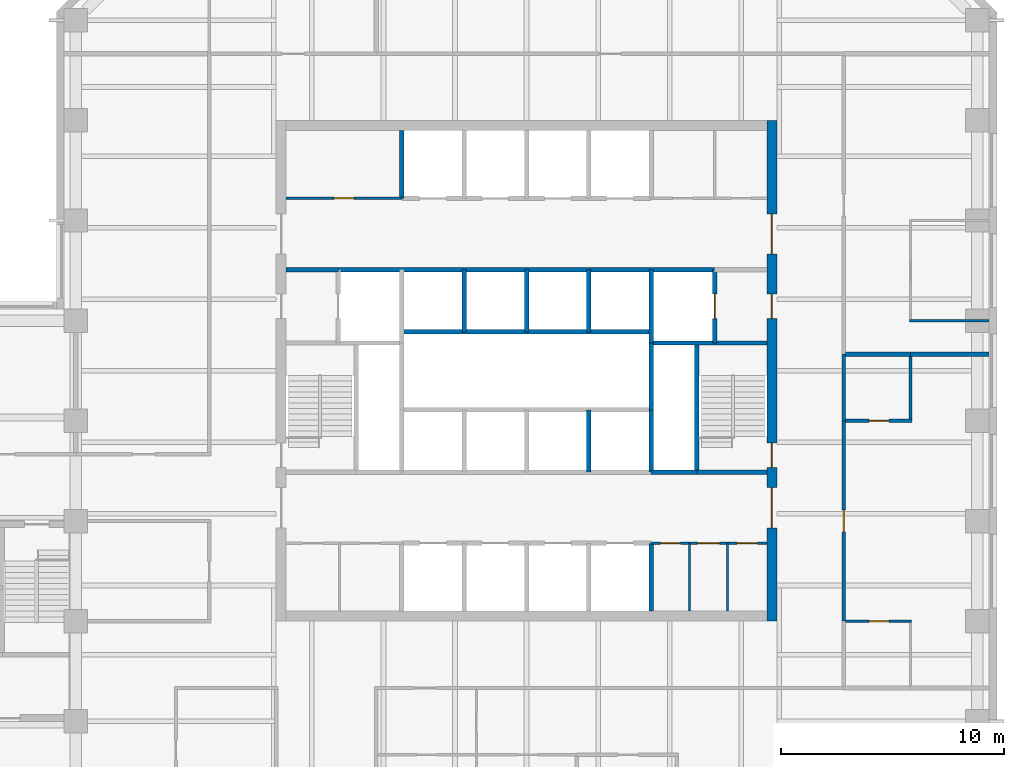
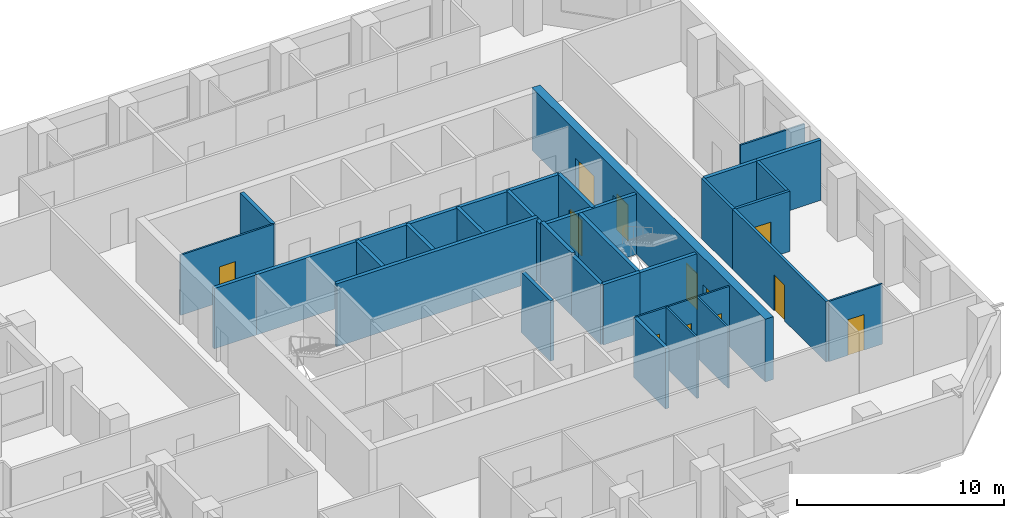
# One storey, part 7 of 11: 30 walls, 12 doors, 12 openings.
"""IFC4 building model written with IfcOpenShell, lengths in metres."""

import ifcopenshell
import ifcopenshell.guid

model = None  # the IFC model being written
_history = None  # IfcOwnerHistory: only IFC2X3 demands one
_inside = {}  # id of a spatial element -> (the spatial element, [elements in it])
_under = {}  # id of a project, library or spatial element -> (it, [spatial elements below it])
_declared = {}  # id of a project -> (the project, [libraries it declares])
_typed = {}  # id of a type object -> (the type object, [elements of that type])
_made_of = {}  # id of a material, layer set ... -> (it, [elements and type objects made of it])


def new_model(schema):
    """Start an empty IFC model of exactly this schema.

    Asked for "IFC4X3", IfcOpenShell would pick the latest addendum, in which some entities
    have other attributes; the version numbers below select the first issue.
    IFC2X3 requires an IfcOwnerHistory on every rooted entity: one is made here for all.
    """
    global model, _history
    if schema == "IFC4X3":
        model = ifcopenshell.file(schema_version=(4, 3, 0, 0))
    else:
        model = ifcopenshell.file(schema=schema)
    _inside.clear()
    _under.clear()
    _declared.clear()
    _typed.clear()
    _made_of.clear()
    _history = None
    if model.schema == "IFC2X3":
        org = make("IfcOrganization", Name="unknown")
        user = make(
            "IfcPersonAndOrganization",
            ThePerson=make("IfcPerson", FamilyName="unknown"),
            TheOrganization=org,
        )
        app = make(
            "IfcApplication",
            ApplicationDeveloper=org,
            Version="unknown",
            ApplicationFullName="unknown",
            ApplicationIdentifier="unknown",
        )
        _history = make(
            "IfcOwnerHistory",
            OwningUser=user,
            OwningApplication=app,
            ChangeAction="ADDED",
            CreationDate=0,
        )
    return model


def make(cls, **values):
    """One entity of the class cls with the attributes given. An attribute that is None is left unset."""
    return model.create_entity(
        cls, **{name: value for name, value in values.items() if value is not None}
    )


def rooted(cls, **values):
    """An entity with a GlobalId (a new one), such as an element, a storey or a relation."""
    return make(cls, GlobalId=ifcopenshell.guid.new(), OwnerHistory=_history, **values)


def si_unit(unit_type, name, prefix=None):
    """IfcSIUnit, for example si_unit("LENGTHUNIT", "METRE", prefix="MILLI")."""
    return make("IfcSIUnit", UnitType=unit_type, Prefix=prefix, Name=name)


def assignment(units):
    """IfcUnitAssignment: the units of a project."""
    return None if units is None else make("IfcUnitAssignment", Units=units)


def point(xyz):
    """IfcCartesianPoint."""
    return None if xyz is None else make("IfcCartesianPoint", Coordinates=xyz)


def direction(xyz):
    """IfcDirection."""
    return None if xyz is None else make("IfcDirection", DirectionRatios=xyz)


def frame(location, z_axis=None, x_axis=None):
    """IfcAxis2Placement3D, a coordinate frame: its origin and axes. An axis left out is left unset."""
    return make(
        "IfcAxis2Placement3D",
        Location=point(location),
        Axis=direction(z_axis),
        RefDirection=direction(x_axis),
    )


def frame_2d(location, x_axis=None):
    """IfcAxis2Placement2D, a coordinate frame in the plane: its origin and x axis."""
    return make(
        "IfcAxis2Placement2D", Location=point(location), RefDirection=direction(x_axis)
    )


def origin():
    """The frame at (0, 0, 0) with its axes left unset."""
    return frame((0.0, 0.0, 0.0))


def place(relative_to, where):
    """IfcLocalPlacement: puts the frame where relative to a parent placement (None: the world)."""
    return make(
        "IfcLocalPlacement", PlacementRelTo=relative_to, RelativePlacement=where
    )


def context(
    kind, dimensions, precision=None, world=None, true_north=None, identifier=None
):
    """IfcGeometricRepresentationContext, for example the 3D "Model" context."""
    return make(
        "IfcGeometricRepresentationContext",
        ContextIdentifier=identifier,
        ContextType=kind,
        CoordinateSpaceDimension=dimensions,
        Precision=precision,
        WorldCoordinateSystem=world,
        TrueNorth=true_north,
    )


def subcontext(parent, identifier, kind, view, scale=None):
    """IfcGeometricRepresentationSubContext, for example "Body" below "Model"."""
    return make(
        "IfcGeometricRepresentationSubContext",
        ContextIdentifier=identifier,
        ContextType=kind,
        ParentContext=parent,
        TargetScale=scale,
        TargetView=view,
    )


def project(units=None, contexts=None):
    """IfcProject with its units and contexts."""
    return rooted(
        "IfcProject",
        Name="project",
        RepresentationContexts=contexts,
        UnitsInContext=assignment(units),
    )


def spatial(cls, under=None, at=None, **own):
    """A site, building, storey or space (cls), placed at a placement, below another one or the project."""
    s = rooted(cls, ObjectPlacement=at, **own)
    if under is not None:
        _under.setdefault(under.id(), (under, []))[1].append(s)
    return s


def profile(cls, at=None, kind="AREA", **sizes):
    """A parametric profile (cls). Its sizes go by their IFC names, for example OverallWidth=200.0."""
    return make(cls, ProfileType=kind, Position=at, **sizes)


def rectangle(**sizes):
    """IfcRectangleProfileDef."""
    return profile("IfcRectangleProfileDef", **sizes)


def extrude(swept, where, along, depth):
    """IfcExtrudedAreaSolid: the profile swept, set in the frame where, extruded along a direction by depth."""
    return make(
        "IfcExtrudedAreaSolid",
        SweptArea=swept,
        Position=where,
        ExtrudedDirection=direction(along),
        Depth=depth,
    )


def shape(context_of_items, identifier, shape_type, items):
    """IfcShapeRepresentation: the items that make up one representation, for example the "Body"."""
    return make(
        "IfcShapeRepresentation",
        ContextOfItems=context_of_items,
        RepresentationIdentifier=identifier,
        RepresentationType=shape_type,
        Items=items,
    )


def material(Name=None, Category=None):
    """IfcMaterial."""
    return make("IfcMaterial", Name=Name, Category=Category)


def layer(
    of_material, thickness, ventilated=None, Name=None, Category=None, Priority=None
):
    """IfcMaterialLayer: one layer of a wall or slab, of a material (None: an air gap)."""
    return make(
        "IfcMaterialLayer",
        Material=of_material,
        LayerThickness=thickness,
        IsVentilated=ventilated,
        Name=Name,
        Category=Category,
        Priority=Priority,
    )


def layer_set(layers, Name=None):
    """IfcMaterialLayerSet."""
    return make("IfcMaterialLayerSet", MaterialLayers=layers, LayerSetName=Name)


def made_of(thing, what):
    """Note that an element or type object is made of a material, layer set ...; save() writes the relation."""
    if what is not None:
        _made_of.setdefault(what.id(), (what, []))[1].append(thing)
    return thing


def type_object(cls, material=None, **own):
    """A type object (cls), such as IfcWallType, which elements share."""
    return made_of(rooted(cls, **own), material)


def element(
    cls,
    number,
    at=None,
    inside=None,
    cuts=None,
    type_object=None,
    material=None,
    context=None,
    identifier="Body",
    shape_type=None,
    held_by="IfcProductDefinitionShape",
    body=None,
    shapes=None,
    **own,
):
    """One element of the class cls, such as IfcWall. Its Tag is "e" and its number.

    at: its placement. inside: the storey or other place that contains it. cuts: it is an
    opening in that element (IfcRelVoidsElement). A single representation is given by context,
    identifier, shape_type and body (its items); several are given by shapes. held_by: the class
    of the entity that holds the representations. save() writes the other relations.
    """
    e = rooted(cls, Tag="e%d" % number, ObjectPlacement=at, **own)
    if body is not None:
        shapes = [shape(context, identifier, shape_type, body)]
    if shapes is not None:
        e.Representation = make(held_by, Representations=shapes)
    if inside is not None:
        _inside.setdefault(inside.id(), (inside, []))[1].append(e)
    if cuts is not None:
        rooted(
            "IfcRelVoidsElement", RelatingBuildingElement=cuts, RelatedOpeningElement=e
        )
    if type_object is not None:
        _typed.setdefault(type_object.id(), (type_object, []))[1].append(e)
    return made_of(e, material)


def fill(opening, filler):
    """IfcRelFillsElement: the door or window that sits in an opening."""
    return rooted(
        "IfcRelFillsElement",
        RelatingOpeningElement=opening,
        RelatedBuildingElement=filler,
    )


def aggregate(whole, parts):
    """IfcRelAggregates: a whole, such as a stair, and the parts it consists of."""
    return rooted("IfcRelAggregates", RelatingObject=whole, RelatedObjects=parts)


def save(model, path):
    """Write the relations noted so far, then the file.

    IfcRelAggregates (storeys below a building ...), IfcRelContainedInSpatialStructure (elements
    in a storey), IfcRelDefinesByType, IfcRelAssociatesMaterial and IfcRelDeclares: one each for
    every whole, place, type object, material and project.
    """
    for whole, parts in _under.values():
        aggregate(whole, parts)
    for where, things in _inside.values():
        rooted(
            "IfcRelContainedInSpatialStructure",
            RelatedElements=things,
            RelatingStructure=where,
        )
    for kind, things in _typed.values():
        rooted("IfcRelDefinesByType", RelatedObjects=things, RelatingType=kind)
    for what, things in _made_of.values():
        rooted("IfcRelAssociatesMaterial", RelatedObjects=things, RelatingMaterial=what)
    for by, libraries in _declared.values():
        rooted("IfcRelDeclares", RelatingContext=by, RelatedDefinitions=libraries)
    model.write(path)


model = new_model("IFC4")

# Units and contexts
model_context = context("Model", 3, precision=1e-05, world=origin(), true_north=direction((0.0, 1.0)))
body_context = subcontext(model_context, "Body", "Model", "MODEL_VIEW")
ifc_project = project(units=[si_unit("LENGTHUNIT", "METRE"), si_unit("AREAUNIT", "SQUARE_METRE"), si_unit("VOLUMEUNIT", "CUBIC_METRE"), si_unit("PLANEANGLEUNIT", "RADIAN"), si_unit("MASSUNIT", "GRAM", prefix="KILO")], contexts=[model_context])

# Site, building, storey
site_placement = place(None, origin())
site = spatial("IfcSite", under=ifc_project, at=site_placement, CompositionType="ELEMENT")
building_placement = place(site_placement, origin())
building = spatial("IfcBuilding", under=site, at=building_placement, Name="Quoin Convention Tower", CompositionType="ELEMENT")
storey_placement = place(building_placement, frame((0.0, 0.0, 93.699951171875)))
storey = spatial("IfcBuildingStorey", under=building, at=storey_placement, Name="L24", CompositionType="ELEMENT", Elevation=93.699951171875)

# Wall, openings, doors
ifc_material_1 = material(Name="Plasterboard")
ifc_layer_1 = layer(ifc_material_1, 0.012451171875, Name="Finish")
ifc_material_2 = material(Name="Steel stud framing", Category="steel")
ifc_layer_2 = layer(ifc_material_2, 0.074951171875, Name="Structure")
ifc_layer_3 = layer(ifc_material_1, 0.012451171875, Name="Finish")
ifc_layer_set_1 = layer_set([ifc_layer_1, ifc_layer_2, ifc_layer_3], Name="Steel stud framing")
wall_type_1 = type_object("IfcWallType", Name="Core partition wall", PredefinedType="PARTITIONING", material=ifc_layer_set_1)
wall_1_placement = place(storey_placement, frame((61.85009765625, 53.0, 0.0), z_axis=(0.0, 0.0, 1.0), x_axis=(1.0, 0.0, 0.0)))
wall_1 = element("IfcWall", 1, at=wall_1_placement, inside=storey, type_object=wall_type_1, Name="cr-C1-L24-h3500_16850", PredefinedType="PARTITIONING", context=body_context, shape_type="SweptSolid", body=[
    extrude(rectangle(XDim=5.199951171875, YDim=0.10009765625, at=frame_2d((2.60009765625, 0.0))), origin(), (0.0, 0.0, 1.0), 3.550048828125),
])
opening_1_placement = place(wall_1_placement, frame((3.865966796875, 0.0, 0.0)))
opening_1 = element("IfcOpeningElement", 2, at=opening_1_placement, cuts=wall_1, Name="Opening DCV2-21", PredefinedType="OPENING", context=body_context, shape_type="SweptSolid", body=[
    extrude(rectangle(XDim=0.89990234375, YDim=2.10009765625, at=frame_2d((0.449951171875, 1.050048828125))), frame((0.0, 0.06005859375, 0.0), z_axis=(0.0, -1.0, 0.0), x_axis=(1.0, 0.0, 0.0)), (0.0, 0.0, 1.0), 0.1201171875),
])
opening_2_placement = place(wall_1_placement, frame((2.073974609375, 0.0, 0.0)))
opening_2 = element("IfcOpeningElement", 3, at=opening_2_placement, cuts=wall_1, Name="Opening DCV2-19", PredefinedType="OPENING", context=body_context, shape_type="SweptSolid", body=[
    extrude(rectangle(XDim=1.0, YDim=2.10009765625, at=frame_2d((0.5, 1.050048828125))), frame((0.0, 0.06005859375, 0.0), z_axis=(0.0, -1.0, 0.0), x_axis=(1.0, 0.0, 0.0)), (0.0, 0.0, 1.0), 0.1201171875),
])
opening_3_placement = place(wall_1_placement, frame((0.407958984375, 0.0, 0.0)))
opening_3 = element("IfcOpeningElement", 4, at=opening_3_placement, cuts=wall_1, Name="Opening DCV2-17", PredefinedType="OPENING", context=body_context, shape_type="SweptSolid", body=[
    extrude(rectangle(XDim=0.89990234375, YDim=2.10009765625, at=frame_2d((0.449951171875, 1.050048828125))), frame((0.0, 0.06005859375, 0.0), z_axis=(0.0, -1.0, 0.0), x_axis=(1.0, 0.0, 0.0)), (0.0, 0.0, 1.0), 0.1201171875),
])
ifc_material_3 = material(Name="Steel door leaf", Category="steel")
door_type_1 = type_object("IfcDoorType", Name="Core room door 1000 x 2100", OperationType="SINGLE_SWING_LEFT", PredefinedType="DOOR", material=ifc_material_3)
door_1_placement = place(opening_2_placement, frame((1.0, 0.0, 0.0), z_axis=(0.0, 0.0, 1.0), x_axis=(-1.0, 0.0, 0.0)))
door_1 = element("IfcDoor", 5, at=door_1_placement, inside=storey, type_object=door_type_1, Name="cd-C1-L24-CSE1-lobA-CD2411", OperationType="SINGLE_SWING_LEFT", OverallHeight=2.10009765625, OverallWidth=1.0, PredefinedType="DOOR", context=body_context, shape_type="SweptSolid", body=[
    extrude(rectangle(XDim=1.0, YDim=2.10009765625, at=frame_2d((0.5, 1.050048828125))), frame((0.0, 0.02490234375, 0.0), z_axis=(0.0, -1.0, 0.0), x_axis=(1.0, 0.0, 0.0)), (0.0, 0.0, 1.0), 0.050048828125),
])
fill(opening_2, door_1)
door_type_2 = type_object("IfcDoorType", Name="Core room door 900 x 2100", OperationType="SINGLE_SWING_LEFT", PredefinedType="DOOR", material=ifc_material_3)
door_2_placement = place(opening_1_placement, frame((0.89990234375, 0.0, 0.0), z_axis=(0.0, 0.0, 1.0), x_axis=(-1.0, 0.0, 0.0)))
door_2 = element("IfcDoor", 6, at=door_2_placement, inside=storey, type_object=door_type_2, Name="cd-C1-L24-CSE0-lobA-CD2410", OperationType="SINGLE_SWING_LEFT", OverallHeight=2.10009765625, OverallWidth=0.89990234375, PredefinedType="DOOR", context=body_context, shape_type="SweptSolid", body=[
    extrude(rectangle(XDim=0.89990234375, YDim=2.10009765625, at=frame_2d((0.449951171875, 1.050048828125))), frame((0.0, 0.02490234375, 0.0), z_axis=(0.0, -1.0, 0.0), x_axis=(1.0, 0.0, 0.0)), (0.0, 0.0, 1.0), 0.050048828125),
])
fill(opening_1, door_2)
door_3_placement = place(opening_3_placement, frame((0.89990234375, 0.0, 0.0), z_axis=(0.0, 0.0, 1.0), x_axis=(-1.0, 0.0, 0.0)))
door_3 = element("IfcDoor", 7, at=door_3_placement, inside=storey, type_object=door_type_2, Name="cd-C1-L24-CSE2-lobA-CD2412", OperationType="SINGLE_SWING_RIGHT", OverallHeight=2.10009765625, OverallWidth=0.89990234375, PredefinedType="DOOR", context=body_context, shape_type="SweptSolid", body=[
    extrude(rectangle(XDim=0.89990234375, YDim=2.10009765625, at=frame_2d((0.449951171875, 1.050048828125))), frame((0.0, 0.02490234375, 0.0), z_axis=(0.0, -1.0, 0.0), x_axis=(1.0, 0.0, 0.0)), (0.0, 0.0, 1.0), 0.050048828125),
])
fill(opening_3, door_3)

# Wall, opening, door
wall_2_placement = place(storey_placement, frame((45.449951171875, 68.5, 0.0), z_axis=(0.0, 0.0, 1.0), x_axis=(1.0, 0.0, 0.0)))
wall_2 = element("IfcWall", 8, at=wall_2_placement, inside=storey, type_object=wall_type_1, Name="cr-C1-L24-h19000_450", PredefinedType="PARTITIONING", context=body_context, shape_type="SweptSolid", body=[
    extrude(rectangle(XDim=5.199951171875, YDim=0.10009765625, at=frame_2d((2.60009765625, 0.0))), origin(), (0.0, 0.0, 1.0), 3.550048828125),
])
opening_4_placement = place(wall_2_placement, frame((2.14990234375, 0.0, 0.0)))
opening_4 = element("IfcOpeningElement", 9, at=opening_4_placement, cuts=wall_2, Name="Opening DCV2-14", PredefinedType="OPENING", context=body_context, shape_type="SweptSolid", body=[
    extrude(rectangle(XDim=0.89990234375, YDim=2.10009765625, at=frame_2d((0.449951171875, 1.050048828125))), frame((0.0, 0.06005859375, 0.0), z_axis=(0.0, -1.0, 0.0), x_axis=(1.0, 0.0, 0.0)), (0.0, 0.0, 1.0), 0.1201171875),
])
door_4_placement = place(opening_4_placement, origin())
door_4 = element("IfcDoor", 10, at=door_4_placement, inside=storey, type_object=door_type_2, Name="cd-C1-L24-CNW0-lobB-CD2409", OperationType="SINGLE_SWING_RIGHT", OverallHeight=2.10009765625, OverallWidth=0.89990234375, PredefinedType="DOOR", context=body_context, shape_type="SweptSolid", body=[
    extrude(rectangle(XDim=0.89990234375, YDim=2.10009765625, at=frame_2d((0.449951171875, 1.050048828125))), frame((0.0, 0.02490234375, 0.0), z_axis=(0.0, -1.0, 0.0), x_axis=(1.0, 0.0, 0.0)), (0.0, 0.0, 1.0), 0.050048828125),
])
fill(opening_4, door_4)

# Walls
for number, where, z_axis, x_axis, name in (
    (11, (63.56591796875, 49.949951171875, 0.0), (0.0, 0.0, 1.0), (0.0, 1.0, 0.0), "cr-C1-L24-v18566_450"),
    (12, (65.281982421875, 49.949951171875, 0.0), (0.0, 0.0, 1.0), (0.0, 1.0, 0.0), "cr-C1-L24-v20282_450"),
):
    element("IfcWall", number, at=place(storey_placement, frame(where, z_axis=z_axis, x_axis=x_axis)), inside=storey, type_object=wall_type_1, Name=name, PredefinedType="PARTITIONING", context=body_context, shape_type="SweptSolid", body=[
        extrude(rectangle(XDim=3.050048828125, YDim=0.10009765625, at=frame_2d((1.52490234375, 0.0))), origin(), (0.0, 0.0, 1.0), 3.550048828125),
    ])
ifc_material_4 = material(Name="Concrete C50", Category="concrete")
ifc_layer_4 = layer(ifc_material_4, 0.199951171875)
ifc_layer_set_2 = layer_set([ifc_layer_4], Name="Concrete C50")
wall_type_2 = type_object("IfcWallType", Name="Core shaft wall", PredefinedType="SOLIDWALL", material=ifc_layer_set_2)
wall_3_placement = place(storey_placement, frame((61.85009765625, 56.199951171875, 0.0), z_axis=(0.0, 0.0, 1.0), x_axis=(1.0, 0.0, 0.0)))
element("IfcWall", 13, at=wall_3_placement, inside=storey, type_object=wall_type_2, Name="cr-C1-L24-h6700_16850", PredefinedType="SOLIDWALL", context=body_context, shape_type="SweptSolid", body=[
    extrude(rectangle(XDim=2.0498046875, YDim=0.199951171875, at=frame_2d((1.02490234375, 0.0))), origin(), (0.0, 0.0, 1.0), 3.550048828125),
])
wall_4_placement = place(storey_placement, frame((63.89990234375, 56.199951171875, 0.0), z_axis=(0.0, 0.0, 1.0), x_axis=(1.0, 0.0, 0.0)))
element("IfcWall", 14, at=wall_4_placement, inside=storey, type_object=wall_type_2, Name="cr-C1-L24-h6700_18900", PredefinedType="SOLIDWALL", context=body_context, shape_type="SweptSolid", body=[
    extrude(rectangle(XDim=3.150146484375, YDim=0.199951171875, at=frame_2d((1.5751953125, 0.0))), origin(), (0.0, 0.0, 1.0), 3.550048828125),
])
wall_5_placement = place(storey_placement, frame((61.85009765625, 62.0, 0.0), z_axis=(0.0, 0.0, 1.0), x_axis=(1.0, 0.0, 0.0)))
element("IfcWall", 15, at=wall_5_placement, inside=storey, type_object=wall_type_2, Name="cr-C1-L24-h12500_16850", PredefinedType="SOLIDWALL", context=body_context, shape_type="SweptSolid", body=[
    extrude(rectangle(XDim=5.199951171875, YDim=0.199951171875, at=frame_2d((2.60009765625, 0.0))), origin(), (0.0, 0.0, 1.0), 3.550048828125),
])
wall_6_placement = place(storey_placement, frame((45.449951171875, 65.300048828125, 0.0), z_axis=(0.0, 0.0, 1.0), x_axis=(1.0, 0.0, 0.0)))
element("IfcWall", 16, at=wall_6_placement, inside=storey, type_object=wall_type_2, Name="cr-C1-L24-h15800_450", PredefinedType="SOLIDWALL", context=body_context, shape_type="SweptSolid", body=[
    extrude(rectangle(XDim=2.35009765625, YDim=0.199951171875, at=frame_2d((1.175048828125, 0.0))), origin(), (0.0, 0.0, 1.0), 3.550048828125),
])
wall_7_placement = place(storey_placement, frame((47.800048828125, 65.300048828125, 0.0), z_axis=(0.0, 0.0, 1.0), x_axis=(1.0, 0.0, 0.0)))
element("IfcWall", 17, at=wall_7_placement, inside=storey, type_object=wall_type_2, Name="cr-C1-L24-h15800_2800", PredefinedType="SOLIDWALL", context=body_context, shape_type="SweptSolid", body=[
    extrude(rectangle(XDim=16.89990234375, YDim=0.199951171875, at=frame_2d((8.449951171875, 0.0))), origin(), (0.0, 0.0, 1.0), 3.550048828125),
])
wall_8_placement = place(storey_placement, frame((50.64990234375, 68.5, 0.0), z_axis=(0.0, 0.0, 1.0), x_axis=(0.0, 1.0, 0.0)))
element("IfcWall", 18, at=wall_8_placement, inside=storey, type_object=wall_type_2, Name="cr-C1-L24-v5650_19000", PredefinedType="SOLIDWALL", context=body_context, shape_type="SweptSolid", body=[
    extrude(rectangle(XDim=3.050048828125, YDim=0.199951171875, at=frame_2d((1.52490234375, 0.0))), origin(), (0.0, 0.0, 1.0), 3.550048828125),
])
for number, where, z_axis, x_axis, name in (
    (19, (53.449951171875, 62.5, 0.0), (0.0, 0.0, 1.0), (0.0, 1.0, 0.0), "cr-C1-L24-v8450_13000"),
    (20, (56.25, 62.5, 0.0), (0.0, 0.0, 1.0), (0.0, 1.0, 0.0), "cr-C1-L24-v11250_13000"),
    (21, (59.050048828125, 56.199951171875, 0.0), (0.0, 0.0, 1.0), (0.0, 1.0, 0.0), "cr-C1-L24-v14050_6700"),
    (22, (59.050048828125, 62.5, 0.0), (0.0, 0.0, 1.0), (0.0, 1.0, 0.0), "cr-C1-L24-v14050_13000"),
):
    element("IfcWall", number, at=place(storey_placement, frame(where, z_axis=z_axis, x_axis=x_axis)), inside=storey, type_object=wall_type_2, Name=name, PredefinedType="SOLIDWALL", context=body_context, shape_type="SweptSolid", body=[
        extrude(rectangle(XDim=2.800048828125, YDim=0.199951171875, at=frame_2d((1.39990234375, 0.0))), origin(), (0.0, 0.0, 1.0), 3.550048828125),
    ])
wall_9_placement = place(storey_placement, frame((61.85009765625, 49.949951171875, 0.0), z_axis=(0.0, 0.0, 1.0), x_axis=(0.0, 1.0, 0.0)))
element("IfcWall", 23, at=wall_9_placement, inside=storey, type_object=wall_type_2, Name="cr-C1-L24-v16850_450", PredefinedType="SOLIDWALL", context=body_context, shape_type="SweptSolid", body=[
    extrude(rectangle(XDim=3.050048828125, YDim=0.199951171875, at=frame_2d((1.52490234375, 0.0))), origin(), (0.0, 0.0, 1.0), 3.550048828125),
])
wall_10_placement = place(storey_placement, frame((61.85009765625, 56.199951171875, 0.0), z_axis=(0.0, 0.0, 1.0), x_axis=(0.0, 1.0, 0.0)))
element("IfcWall", 24, at=wall_10_placement, inside=storey, type_object=wall_type_2, Name="cr-C1-L24-v16850_6700", PredefinedType="SOLIDWALL", context=body_context, shape_type="SweptSolid", body=[
    extrude(rectangle(XDim=2.800048828125, YDim=0.199951171875, at=frame_2d((1.39990234375, 0.0))), origin(), (0.0, 0.0, 1.0), 3.550048828125),
])
wall_11_placement = place(storey_placement, frame((61.85009765625, 62.0, 0.0), z_axis=(0.0, 0.0, 1.0), x_axis=(0.0, 1.0, 0.0)))
element("IfcWall", 25, at=wall_11_placement, inside=storey, type_object=wall_type_2, Name="cr-C1-L24-v16850_12500", PredefinedType="SOLIDWALL", context=body_context, shape_type="SweptSolid", body=[
    extrude(rectangle(XDim=3.300048828125, YDim=0.199951171875, at=frame_2d((1.64990234375, 0.0))), origin(), (0.0, 0.0, 1.0), 3.550048828125),
])
wall_12_placement = place(storey_placement, frame((63.89990234375, 56.199951171875, 0.0), z_axis=(0.0, 0.0, 1.0), x_axis=(0.0, 1.0, 0.0)))
element("IfcWall", 26, at=wall_12_placement, inside=storey, type_object=wall_type_2, Name="cr-C1-L24-v18900_6700", PredefinedType="SOLIDWALL", context=body_context, shape_type="SweptSolid", body=[
    extrude(rectangle(XDim=5.800048828125, YDim=0.199951171875, at=frame_2d((2.89990234375, 0.0))), origin(), (0.0, 0.0, 1.0), 3.550048828125),
])

# Wall, opening, door
wall_13_placement = place(storey_placement, frame((64.699951171875, 62.0, 0.0), z_axis=(0.0, 0.0, 1.0), x_axis=(0.0, 1.0, 0.0)))
wall_13 = element("IfcWall", 27, at=wall_13_placement, inside=storey, type_object=wall_type_2, Name="cr-C1-L24-v19700_12500", PredefinedType="SOLIDWALL", context=body_context, shape_type="SweptSolid", body=[
    extrude(rectangle(XDim=3.300048828125, YDim=0.199951171875, at=frame_2d((1.64990234375, 0.0))), origin(), (0.0, 0.0, 1.0), 3.550048828125),
])
opening_5_placement = place(wall_13_placement, frame((1.10009765625, 0.0, 0.0)))
opening_5 = element("IfcOpeningElement", 28, at=opening_5_placement, cuts=wall_13, Name="Opening LDFL2", PredefinedType="OPENING", context=body_context, shape_type="SweptSolid", body=[
    extrude(rectangle(XDim=1.10009765625, YDim=2.10009765625, at=frame_2d((0.550048828125, 1.050048828125))), frame((0.0, 0.10986328125, 0.0), z_axis=(0.0, -1.0, 0.0), x_axis=(1.0, 0.0, 0.0)), (0.0, 0.0, 1.0), 0.219970703125),
])
door_type_3 = type_object("IfcDoorType", Name="Lift landing door 1100 x 2100", OperationType="DOUBLE_DOOR_SLIDING", PredefinedType="DOOR", material=ifc_material_3)
door_5_placement = place(opening_5_placement, origin())
door_5 = element("IfcDoor", 29, at=door_5_placement, inside=storey, type_object=door_type_3, Name="cd-C1-L24-FLE-FFE-LDFL2", OperationType="DOUBLE_DOOR_SLIDING", OverallHeight=2.10009765625, OverallWidth=1.10009765625, PredefinedType="DOOR", context=body_context, shape_type="SweptSolid", body=[
    extrude(rectangle(XDim=1.10009765625, YDim=2.10009765625, at=frame_2d((0.550048828125, 1.050048828125))), frame((0.0, 0.02490234375, 0.0), z_axis=(0.0, -1.0, 0.0), x_axis=(1.0, 0.0, 0.0)), (0.0, 0.0, 1.0), 0.050048828125),
])
fill(opening_5, door_5)

# Walls
ifc_layer_5 = layer(ifc_material_4, 0.199951171875)
ifc_layer_set_3 = layer_set([ifc_layer_5], Name="Concrete C50")
wall_type_3 = type_object("IfcWallType", Name="Core shaft wall to the floor level over", PredefinedType="SOLIDWALL", material=ifc_layer_set_3)
wall_14_placement = place(storey_placement, frame((50.64990234375, 62.5, 0.0), z_axis=(0.0, 0.0, 1.0), x_axis=(1.0, 0.0, 0.0)))
element("IfcWall", 30, at=wall_14_placement, inside=storey, type_object=wall_type_3, Name="cr-C1-L24-h13000_5650", PredefinedType="SOLIDWALL", context=body_context, shape_type="SweptSolid", body=[
    extrude(rectangle(XDim=11.2001953125, YDim=0.199951171875, at=frame_2d((5.60009765625, 0.0))), origin(), (0.0, 0.0, 1.0), 3.699951171875),
])
wall_15_placement = place(storey_placement, frame((61.85009765625, 59.0, 0.0), z_axis=(0.0, 0.0, 1.0), x_axis=(0.0, 1.0, 0.0)))
element("IfcWall", 31, at=wall_15_placement, inside=storey, type_object=wall_type_3, Name="cr-C1-L24-v16850_9500", PredefinedType="SOLIDWALL", context=body_context, shape_type="SweptSolid", body=[
    extrude(rectangle(XDim=3.0, YDim=0.199951171875, at=frame_2d((1.5, 0.0))), origin(), (0.0, 0.0, 1.0), 3.699951171875),
])

# Wall, opening, door
ifc_layer_6 = layer(ifc_material_1, 0.012451171875, Name="Finish")
ifc_layer_7 = layer(ifc_material_2, 0.125, Name="Structure")
ifc_layer_8 = layer(ifc_material_1, 0.012451171875, Name="Finish")
ifc_layer_set_4 = layer_set([ifc_layer_6, ifc_layer_7, ifc_layer_8], Name="Steel stud framing")
wall_type_4 = type_object("IfcWallType", Name="Corridor wall 150", PredefinedType="PARTITIONING", material=ifc_layer_set_4)
wall_16_placement = place(storey_placement, frame((70.5, 49.5, 0.0), z_axis=(0.0, 0.0, 1.0), x_axis=(0.0, 1.0, 0.0)))
wall_16 = element("IfcWall", 32, at=wall_16_placement, inside=storey, type_object=wall_type_4, Name="pw-L24-073", PredefinedType="PARTITIONING", context=body_context, shape_type="SweptSolid", body=[
    extrude(rectangle(XDim=9.0, YDim=0.14990234375, at=frame_2d((4.5, 0.0))), origin(), (0.0, 0.0, 1.0), 3.550048828125),
])
opening_6_placement = place(wall_16_placement, frame((4.0, 0.0, 0.0)))
opening_6 = element("IfcOpeningElement", 33, at=opening_6_placement, cuts=wall_16, Name="Opening DOL3-26", PredefinedType="OPENING", context=body_context, shape_type="SweptSolid", body=[
    extrude(rectangle(XDim=1.0, YDim=2.10009765625, at=frame_2d((0.5, 1.050048828125))), frame((0.0, 0.0849609375, 0.0), z_axis=(0.0, -1.0, 0.0), x_axis=(1.0, 0.0, 0.0)), (0.0, 0.0, 1.0), 0.169921875),
])
door_type_4 = type_object("IfcDoorType", Name="Tenancy entrance door 1000 x 2100", OperationType="DOUBLE_DOOR_SINGLE_SWING", PredefinedType="DOOR", material=ifc_material_3)
door_6_placement = place(opening_6_placement, frame((1.0, 0.0, 0.0), z_axis=(0.0, 0.0, 1.0), x_axis=(-1.0, 0.0, 0.0)))
door_6 = element("IfcDoor", 34, at=door_6_placement, inside=storey, type_object=door_type_4, Name="dr-L24-17", OperationType="DOUBLE_DOOR_SINGLE_SWING", OverallHeight=2.10009765625, OverallWidth=1.0, PredefinedType="DOOR", context=body_context, shape_type="SweptSolid", body=[
    extrude(rectangle(XDim=1.0, YDim=2.10009765625, at=frame_2d((0.5, 1.050048828125))), frame((0.0, 0.02490234375, 0.0), z_axis=(0.0, -1.0, 0.0), x_axis=(1.0, 0.0, 0.0)), (0.0, 0.0, 1.0), 0.050048828125),
])
fill(opening_6, door_6)

# Wall
wall_17_placement = place(storey_placement, frame((70.5, 58.5, 0.0), z_axis=(0.0, 0.0, 1.0), x_axis=(0.0, 1.0, 0.0)))
element("IfcWall", 35, at=wall_17_placement, inside=storey, type_object=wall_type_4, Name="pw-L24-078", PredefinedType="PARTITIONING", context=body_context, shape_type="SweptSolid", body=[
    extrude(rectangle(XDim=3.0, YDim=0.14990234375, at=frame_2d((1.5, 0.0))), origin(), (0.0, 0.0, 1.0), 3.550048828125),
])

# Wall, openings, doors
ifc_material_5 = material(Name="Concrete C65", Category="concrete")
ifc_layer_9 = layer(ifc_material_5, 0.449951171875)
ifc_layer_set_5 = layer_set([ifc_layer_9], Name="Concrete C65")
wall_type_5 = type_object("IfcWallType", Name="RC CORE WALL 450 C65", PredefinedType="SHEAR", material=ifc_layer_set_5)
wall_18_placement = place(storey_placement, frame((67.27490234375, 49.5, 0.0), z_axis=(0.0, 0.0, 1.0), x_axis=(0.0, 1.0, 0.0)))
wall_18 = element("IfcWall", 36, at=wall_18_placement, inside=storey, type_object=wall_type_5, Name="cwl-C1-L24-E", PredefinedType="SHEAR", context=body_context, shape_type="SweptSolid", body=[
    extrude(rectangle(XDim=22.5, YDim=0.449951171875, at=frame_2d((11.25, 0.0))), origin(), (0.0, 0.0, 1.0), 3.699951171875),
])
opening_7_placement = place(wall_18_placement, frame((4.199951171875, 0.0, 0.0)))
opening_7 = element("IfcOpeningElement", 37, at=opening_7_placement, cuts=wall_18, Name="Opening DCV2-38", PredefinedType="OPENING", context=body_context, shape_type="SweptSolid", body=[
    extrude(rectangle(XDim=1.800048828125, YDim=2.10009765625, at=frame_2d((0.89990234375, 1.050048828125))), frame((0.0, 0.23486328125, 0.0), z_axis=(0.0, -1.0, 0.0), x_axis=(1.0, 0.0, 0.0)), (0.0, 0.0, 1.0), 0.469970703125),
])
opening_8_placement = place(wall_18_placement, frame((6.89990234375, 0.0, 0.0)))
opening_8 = element("IfcOpeningElement", 38, at=opening_8_placement, cuts=wall_18, Name="Opening SD2", PredefinedType="OPENING", context=body_context, shape_type="SweptSolid", body=[
    extrude(rectangle(XDim=1.10009765625, YDim=2.10009765625, at=frame_2d((0.550048828125, 1.050048828125))), frame((0.0, 0.23486328125, 0.0), z_axis=(0.0, -1.0, 0.0), x_axis=(1.0, 0.0, 0.0)), (0.0, 0.0, 1.0), 0.469970703125),
])
opening_9_placement = place(wall_18_placement, frame((13.60009765625, 0.0, 0.0)))
opening_9 = element("IfcOpeningElement", 39, at=opening_9_placement, cuts=wall_18, Name="Opening DCV2-37", PredefinedType="OPENING", context=body_context, shape_type="SweptSolid", body=[
    extrude(rectangle(XDim=1.10009765625, YDim=2.10009765625, at=frame_2d((0.550048828125, 1.050048828125))), frame((0.0, 0.23486328125, 0.0), z_axis=(0.0, -1.0, 0.0), x_axis=(1.0, 0.0, 0.0)), (0.0, 0.0, 1.0), 0.469970703125),
])
opening_10_placement = place(wall_18_placement, frame((16.5, 0.0, 0.0)))
opening_10 = element("IfcOpeningElement", 40, at=opening_10_placement, cuts=wall_18, Name="Opening DCV2-38", PredefinedType="OPENING", context=body_context, shape_type="SweptSolid", body=[
    extrude(rectangle(XDim=1.800048828125, YDim=2.10009765625, at=frame_2d((0.89990234375, 1.050048828125))), frame((0.0, 0.23486328125, 0.0), z_axis=(0.0, -1.0, 0.0), x_axis=(1.0, 0.0, 0.0)), (0.0, 0.0, 1.0), 0.469970703125),
])
door_type_5 = type_object("IfcDoorType", Name="Fire-fighting lobby door 1100 x 2100", OperationType="SINGLE_SWING_LEFT", PredefinedType="DOOR", material=ifc_material_3)
door_7_placement = place(opening_9_placement, origin())
door_7 = element("IfcDoor", 41, at=door_7_placement, inside=storey, type_object=door_type_5, Name="cd-C1-L24-FFE-E", OperationType="SINGLE_SWING_RIGHT", OverallHeight=2.10009765625, OverallWidth=1.10009765625, PredefinedType="DOOR", context=body_context, shape_type="SweptSolid", body=[
    extrude(rectangle(XDim=1.10009765625, YDim=2.10009765625, at=frame_2d((0.550048828125, 1.050048828125))), frame((0.0, 0.02490234375, 0.0), z_axis=(0.0, -1.0, 0.0), x_axis=(1.0, 0.0, 0.0)), (0.0, 0.0, 1.0), 0.050048828125),
])
fill(opening_9, door_7)
door_type_6 = type_object("IfcDoorType", Name="Lift lobby door 1800 x 2100", OperationType="SINGLE_SWING_LEFT", PredefinedType="DOOR", material=ifc_material_3)
door_8_placement = place(opening_7_placement, origin())
door_8 = element("IfcDoor", 42, at=door_8_placement, inside=storey, type_object=door_type_6, Name="cd-C1-L24-lobA-E", OperationType="SINGLE_SWING_RIGHT", OverallHeight=2.10009765625, OverallWidth=1.800048828125, PredefinedType="DOOR", context=body_context, shape_type="SweptSolid", body=[
    extrude(rectangle(XDim=1.800048828125, YDim=2.10009765625, at=frame_2d((0.89990234375, 1.050048828125))), frame((0.0, 0.02490234375, 0.0), z_axis=(0.0, -1.0, 0.0), x_axis=(1.0, 0.0, 0.0)), (0.0, 0.0, 1.0), 0.050048828125),
])
fill(opening_7, door_8)
door_9_placement = place(opening_10_placement, origin())
door_9 = element("IfcDoor", 43, at=door_9_placement, inside=storey, type_object=door_type_6, Name="cd-C1-L24-lobB-E", OperationType="SINGLE_SWING_RIGHT", OverallHeight=2.10009765625, OverallWidth=1.800048828125, PredefinedType="DOOR", context=body_context, shape_type="SweptSolid", body=[
    extrude(rectangle(XDim=1.800048828125, YDim=2.10009765625, at=frame_2d((0.89990234375, 1.050048828125))), frame((0.0, 0.02490234375, 0.0), z_axis=(0.0, -1.0, 0.0), x_axis=(1.0, 0.0, 0.0)), (0.0, 0.0, 1.0), 0.050048828125),
])
fill(opening_10, door_9)
door_type_7 = type_object("IfcDoorType", Name="Stair door 1100 x 2100", OperationType="SINGLE_SWING_RIGHT", PredefinedType="DOOR", material=ifc_material_3)
door_10_placement = place(opening_8_placement, origin())
door_10 = element("IfcDoor", 44, at=door_10_placement, inside=storey, type_object=door_type_7, Name="cd-C1-L24-STE-E", OperationType="SINGLE_SWING_LEFT", OverallHeight=2.10009765625, OverallWidth=1.10009765625, PredefinedType="DOOR", context=body_context, shape_type="SweptSolid", body=[
    extrude(rectangle(XDim=1.10009765625, YDim=2.10009765625, at=frame_2d((0.550048828125, 1.050048828125))), frame((0.0, 0.02490234375, 0.0), z_axis=(0.0, -1.0, 0.0), x_axis=(1.0, 0.0, 0.0)), (0.0, 0.0, 1.0), 0.050048828125),
])
fill(opening_8, door_10)

# Wall, opening, door
ifc_layer_10 = layer(ifc_material_1, 0.012451171875, Name="Finish")
ifc_layer_11 = layer(ifc_material_2, 0.074951171875, Name="Structure")
ifc_layer_12 = layer(ifc_material_1, 0.012451171875, Name="Finish")
ifc_layer_set_6 = layer_set([ifc_layer_10, ifc_layer_11, ifc_layer_12], Name="Steel stud framing")
wall_type_6 = type_object("IfcWallType", Name="Stud partition 100", PredefinedType="PARTITIONING", material=ifc_layer_set_6)
wall_19_placement = place(storey_placement, frame((70.574951171875, 49.5, 0.0), z_axis=(0.0, 0.0, 1.0), x_axis=(1.0, 0.0, 0.0)))
wall_19 = element("IfcWall", 45, at=wall_19_placement, inside=storey, type_object=wall_type_6, Name="pw-L24-029", PredefinedType="PARTITIONING", context=body_context, shape_type="SweptSolid", body=[
    extrude(rectangle(XDim=2.97509765625, YDim=0.10009765625, at=frame_2d((1.487548828125, 0.0))), origin(), (0.0, 0.0, 1.0), 3.550048828125),
])
opening_11_placement = place(wall_19_placement, frame((1.050048828125, 0.0, 0.0)))
opening_11 = element("IfcOpeningElement", 46, at=opening_11_placement, cuts=wall_19, Name="Opening DOL3-12", PredefinedType="OPENING", context=body_context, shape_type="SweptSolid", body=[
    extrude(rectangle(XDim=0.89990234375, YDim=2.10009765625, at=frame_2d((0.449951171875, 1.050048828125))), frame((0.0, 0.06005859375, 0.0), z_axis=(0.0, -1.0, 0.0), x_axis=(1.0, 0.0, 0.0)), (0.0, 0.0, 1.0), 0.1201171875),
])
door_type_8 = type_object("IfcDoorType", Name="Office door 900 x 2100", OperationType="SINGLE_SWING_RIGHT", PredefinedType="DOOR", material=ifc_material_3)
door_11_placement = place(opening_11_placement, origin())
door_11 = element("IfcDoor", 47, at=door_11_placement, inside=storey, type_object=door_type_8, Name="dr-L24-19", OperationType="SINGLE_SWING_RIGHT", OverallHeight=2.10009765625, OverallWidth=0.89990234375, PredefinedType="DOOR", context=body_context, shape_type="SweptSolid", body=[
    extrude(rectangle(XDim=0.89990234375, YDim=2.10009765625, at=frame_2d((0.449951171875, 1.050048828125))), frame((0.0, 0.02490234375, 0.0), z_axis=(0.0, -1.0, 0.0), x_axis=(1.0, 0.0, 0.0)), (0.0, 0.0, 1.0), 0.050048828125),
])
fill(opening_11, door_11)

# Walls
wall_20_placement = place(storey_placement, frame((73.449951171875, 63.0, 0.0), z_axis=(0.0, 0.0, 1.0), x_axis=(1.0, 0.0, 0.0)))
element("IfcWall", 48, at=wall_20_placement, inside=storey, type_object=wall_type_6, Name="pw-L24-037", PredefinedType="PARTITIONING", context=body_context, shape_type="SweptSolid", body=[
    extrude(rectangle(XDim=3.574951171875, YDim=0.10009765625, at=frame_2d((1.78759765625, 0.0))), origin(), (0.0, 0.0, 1.0), 3.550048828125),
])
ifc_layer_13 = layer(ifc_material_1, 0.012451171875, Name="Finish")
ifc_layer_14 = layer(ifc_material_2, 0.175048828125, Name="Structure")
ifc_layer_15 = layer(ifc_material_1, 0.012451171875, Name="Finish")
ifc_layer_set_7 = layer_set([ifc_layer_13, ifc_layer_14, ifc_layer_15], Name="Steel stud framing")
wall_type_7 = type_object("IfcWallType", Name="Tenancy demising wall 200", PredefinedType="PARTITIONING", material=ifc_layer_set_7)
wall_21_placement = place(storey_placement, frame((70.574951171875, 61.5, 0.0), z_axis=(0.0, 0.0, 1.0), x_axis=(1.0, 0.0, 0.0)))
element("IfcWall", 49, at=wall_21_placement, inside=storey, type_object=wall_type_7, Name="pw-L24-035", PredefinedType="PARTITIONING", context=body_context, shape_type="SweptSolid", body=[
    extrude(rectangle(XDim=2.925048828125, YDim=0.199951171875, at=frame_2d((1.46240234375, 0.0))), origin(), (0.0, 0.0, 1.0), 3.550048828125),
])
wall_22_placement = place(storey_placement, frame((73.5, 61.5, 0.0), z_axis=(0.0, 0.0, 1.0), x_axis=(1.0, 0.0, 0.0)))
element("IfcWall", 50, at=wall_22_placement, inside=storey, type_object=wall_type_7, Name="pw-L24-036", PredefinedType="PARTITIONING", context=body_context, shape_type="SweptSolid", body=[
    extrude(rectangle(XDim=3.52490234375, YDim=0.199951171875, at=frame_2d((1.762451171875, 0.0))), origin(), (0.0, 0.0, 1.0), 3.550048828125),
])

# Wall, opening, door
ifc_layer_16 = layer(ifc_material_1, 0.012451171875, Name="Finish")
ifc_layer_17 = layer(ifc_material_2, 0.125, Name="Structure")
ifc_layer_18 = layer(ifc_material_1, 0.012451171875, Name="Finish")
ifc_layer_set_8 = layer_set([ifc_layer_16, ifc_layer_17, ifc_layer_18], Name="Steel stud framing")
wall_type_8 = type_object("IfcWallType", Name="Wet area partition 150", PredefinedType="PARTITIONING", material=ifc_layer_set_8)
wall_23_placement = place(storey_placement, frame((70.574951171875, 58.5, 0.0), z_axis=(0.0, 0.0, 1.0), x_axis=(1.0, 0.0, 0.0)))
wall_23 = element("IfcWall", 51, at=wall_23_placement, inside=storey, type_object=wall_type_8, Name="pw-L24-034", PredefinedType="PARTITIONING", context=body_context, shape_type="SweptSolid", body=[
    extrude(rectangle(XDim=3.0, YDim=0.14990234375, at=frame_2d((1.5, 0.0))), origin(), (0.0, 0.0, 1.0), 3.550048828125),
])
opening_12_placement = place(wall_23_placement, frame((1.050048828125, 0.0, 0.0)))
opening_12 = element("IfcOpeningElement", 52, at=opening_12_placement, cuts=wall_23, Name="Opening DOL3-15", PredefinedType="OPENING", context=body_context, shape_type="SweptSolid", body=[
    extrude(rectangle(XDim=0.89990234375, YDim=2.10009765625, at=frame_2d((0.449951171875, 1.050048828125))), frame((0.0, 0.0849609375, 0.0), z_axis=(0.0, -1.0, 0.0), x_axis=(1.0, 0.0, 0.0)), (0.0, 0.0, 1.0), 0.169921875),
])
door_12_placement = place(opening_12_placement, frame((0.89990234375, 0.0, 0.0), z_axis=(0.0, 0.0, 1.0), x_axis=(-1.0, 0.0, 0.0)))
door_12 = element("IfcDoor", 53, at=door_12_placement, inside=storey, type_object=door_type_8, Name="dr-L24-18", OperationType="SINGLE_SWING_LEFT", OverallHeight=2.10009765625, OverallWidth=0.89990234375, PredefinedType="DOOR", context=body_context, shape_type="SweptSolid", body=[
    extrude(rectangle(XDim=0.89990234375, YDim=2.10009765625, at=frame_2d((0.449951171875, 1.050048828125))), frame((0.0, 0.02490234375, 0.0), z_axis=(0.0, -1.0, 0.0), x_axis=(1.0, 0.0, 0.0)), (0.0, 0.0, 1.0), 0.050048828125),
])
fill(opening_12, door_12)

# Wall
wall_24_placement = place(storey_placement, frame((73.5, 58.574951171875, 0.0), z_axis=(0.0, 0.0, 1.0), x_axis=(0.0, 1.0, 0.0)))
element("IfcWall", 54, at=wall_24_placement, inside=storey, type_object=wall_type_8, Name="pw-L24-079", PredefinedType="PARTITIONING", context=body_context, shape_type="SweptSolid", body=[
    extrude(rectangle(XDim=2.824951171875, YDim=0.14990234375, at=frame_2d((1.41259765625, 0.0))), origin(), (0.0, 0.0, 1.0), 3.550048828125),
])

save(model, "model.ifc")
